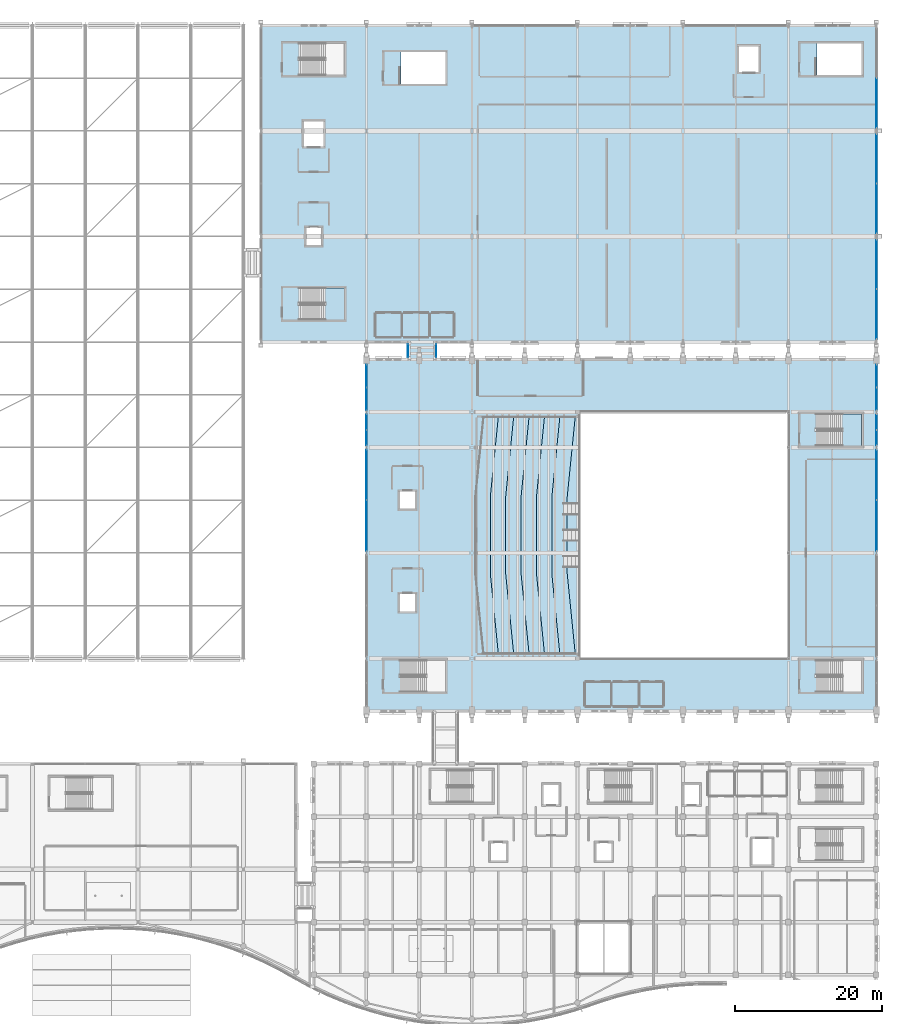
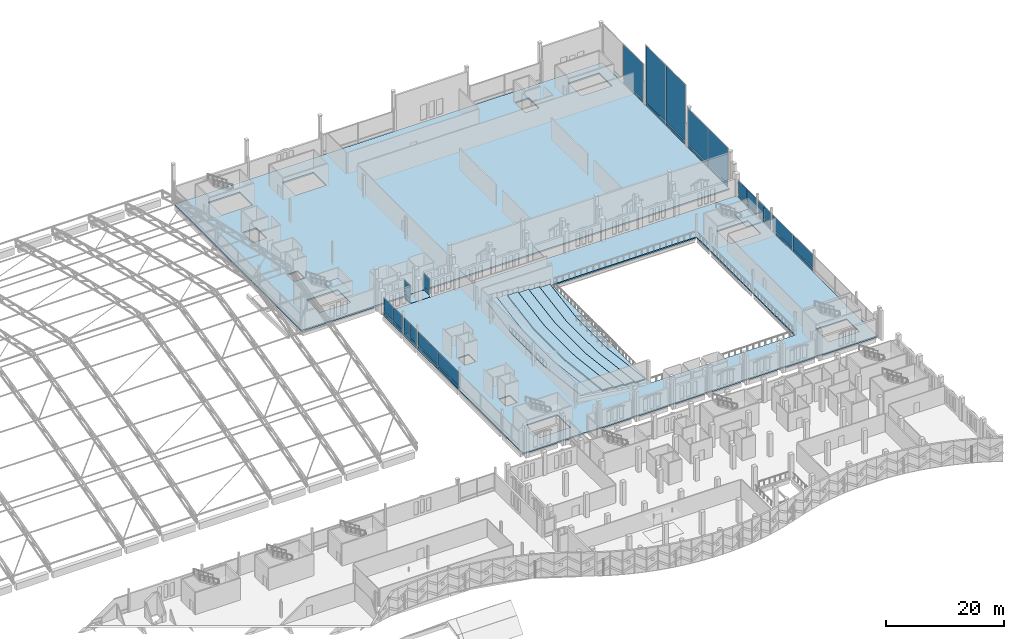
# One storey, part 118 of 193: 38 plates, 11 slabs, 13 elements without a shape of their own.
"""IFC4 building model written with IfcOpenShell, lengths in metres."""

from ifc_helpers import new_model, si_unit, direction, frame, origin, origin_2d, place, context, subcontext, project, spatial, polyline, rectangle, outline, extrude, material, layer, layer_set, type_object, element, aggregate, save


model = new_model("IFC4")

# Units and contexts
model_context = context("Model", 3, precision=1e-05, world=origin(), true_north=direction((0.0, 1.0)))
body_context = subcontext(model_context, "Body", "Model", "MODEL_VIEW")
ifc_project = project(units=[si_unit("LENGTHUNIT", "METRE"), si_unit("AREAUNIT", "SQUARE_METRE"), si_unit("VOLUMEUNIT", "CUBIC_METRE"), si_unit("PLANEANGLEUNIT", "RADIAN"), si_unit("MASSUNIT", "GRAM", prefix="KILO")], contexts=[model_context])

# Site, building, storey
site_placement = place(None, origin())
site = spatial("IfcSite", under=ifc_project, at=site_placement, CompositionType="ELEMENT")
building_placement = place(site_placement, origin())
building = spatial("IfcBuilding", under=site, at=building_placement, Name="Cendralis Lancet Convention Centre", CompositionType="ELEMENT")
storey_placement = place(building_placement, frame((0.0, 0.0, 10.199951171875)))
storey = spatial("IfcBuildingStorey", under=building, at=storey_placement, Name="L02", CompositionType="ELEMENT", Elevation=10.199951171875)

# Curtain wall, plate
ifc_material_1 = material(Name="Anodised bronze architectural aluminium", Category="aluminium")
curtain_wall_type_1 = type_object("IfcCurtainWallType", Name="ARC-CW-BR01", PredefinedType="USERDEFINED", material=ifc_material_1)
curtain_wall_1_placement = place(storey_placement, origin())
curtain_wall_1 = element("IfcCurtainWall", 1, at=curtain_wall_1_placement, inside=storey, type_object=curtain_wall_type_1, Name="L02 Curtain Wall CW-BR1 #199", ObjectType="CURTAIN WALL", PredefinedType="USERDEFINED")
ifc_material_2 = material(Name="Double-glazed low-E solar-control glass", Category="glass")
ifc_layer_1 = layer(ifc_material_2, 0.035888671875, Name="Double-glazed low-E solar-control glass")
ifc_layer_set_1 = layer_set([ifc_layer_1], Name="Double-glazed low-E solar-control glass")
plate_type_1 = type_object("IfcPlateType", Name="ARC-PL-GL01", PredefinedType="CURTAIN_PANEL", material=ifc_layer_set_1)
plate_1_placement = place(storey_placement, frame((144.8798828125, 92.39990234375, 0.81982421875), z_axis=(0.0, 0.0, 1.0), x_axis=(0.0, 1.0, 0.0)))
plate_1 = element("IfcPlate", 2, at=plate_1_placement, type_object=plate_type_1, Name="Vision Glass Panel CW2-CW-BR1-L02-199-PG0", PredefinedType="CURTAIN_PANEL", context=body_context, shape_type="SweptSolid", body=[
    extrude(rectangle(XDim=1.760009765625, YDim=0.035888671875, at=origin_2d()), origin(), (0.0, 0.0, 1.0), 2.760009765625),
])

curtain_wall_2_placement = place(storey_placement, origin())
curtain_wall_2 = element("IfcCurtainWall", 3, at=curtain_wall_2_placement, inside=storey, type_object=curtain_wall_type_1, Name="L02 Curtain Wall CW-BR1 #200", ObjectType="CURTAIN WALL", PredefinedType="USERDEFINED")
plate_2_placement = place(storey_placement, frame((148.719970703125, 92.39990234375, 0.81982421875), z_axis=(0.0, 0.0, 1.0), x_axis=(0.0, 1.0, 0.0)))
plate_2 = element("IfcPlate", 4, at=plate_2_placement, type_object=plate_type_1, Name="Vision Glass Panel CW2-CW-BR1-L02-200-PG0", PredefinedType="CURTAIN_PANEL", context=body_context, shape_type="SweptSolid", body=[
    extrude(rectangle(XDim=1.760009765625, YDim=0.035888671875, at=origin_2d()), origin(), (0.0, 0.0, 1.0), 2.760009765625),
])

# Curtain wall, plates
curtain_wall_type_2 = type_object("IfcCurtainWallType", Name="ARC-CW-PL02", PredefinedType="USERDEFINED", material=ifc_material_1)
curtain_wall_3_placement = place(storey_placement, origin())
curtain_wall_3 = element("IfcCurtainWall", 5, at=curtain_wall_3_placement, inside=storey, type_object=curtain_wall_type_2, Name="L02 Curtain Wall CW-PL2 #133", ObjectType="CURTAIN WALL", PredefinedType="USERDEFINED")
ifc_layer_2 = layer(ifc_material_2, 0.035888671875, Name="Double-glazed low-E solar-control glass")
ifc_layer_set_2 = layer_set([ifc_layer_2], Name="Double-glazed low-E solar-control glass")
plate_type_2 = type_object("IfcPlateType", Name="ARC-PL-GL02", PredefinedType="CURTAIN_PANEL", material=ifc_layer_set_2)
plate_3_placement = place(storey_placement, frame((208.800048828125, 75.487548828125, 0.830078125), z_axis=(0.0, 0.0, 1.0), x_axis=(0.0, -1.0, 0.0)))
plate_3 = element("IfcPlate", 6, at=plate_3_placement, type_object=plate_type_2, Name="Vision Glass Panel CW2-CW-PL2-L02-133-PG0", PredefinedType="CURTAIN_PANEL", context=body_context, shape_type="SweptSolid", body=[
    extrude(rectangle(XDim=6.81494140625, YDim=0.035888671875, at=origin_2d()), origin(), (0.0, 0.0, 1.0), 2.764892578125),
])
plate_4_placement = place(storey_placement, frame((208.800048828125, 68.512451171875, 0.830078125), z_axis=(0.0, 0.0, 1.0), x_axis=(0.0, -1.0, 0.0)))
plate_4 = element("IfcPlate", 7, at=plate_4_placement, type_object=plate_type_2, Name="Vision Glass Panel CW2-CW-PL2-L02-133-PG1", PredefinedType="CURTAIN_PANEL", context=body_context, shape_type="SweptSolid", body=[
    extrude(rectangle(XDim=6.81494140625, YDim=0.035888671875, at=origin_2d()), origin(), (0.0, 0.0, 1.0), 2.764892578125),
])

curtain_wall_4_placement = place(storey_placement, origin())
curtain_wall_4 = element("IfcCurtainWall", 8, at=curtain_wall_4_placement, inside=storey, type_object=curtain_wall_type_2, Name="L02 Curtain Wall CW-PL2 #134", ObjectType="CURTAIN WALL", PredefinedType="USERDEFINED")
plate_5_placement = place(storey_placement, frame((208.800048828125, 82.6875, 0.830078125), z_axis=(0.0, 0.0, 1.0), x_axis=(0.0, -1.0, 0.0)))
plate_5 = element("IfcPlate", 9, at=plate_5_placement, type_object=plate_type_2, Name="Vision Glass Panel CW2-CW-PL2-L02-134-PG0", PredefinedType="CURTAIN_PANEL", context=body_context, shape_type="SweptSolid", body=[
    extrude(rectangle(XDim=2.014892578125, YDim=0.035888671875, at=origin_2d()), origin(), (0.0, 0.0, 1.0), 2.764892578125),
])
plate_6_placement = place(storey_placement, frame((208.800048828125, 80.512451171875, 0.830078125), z_axis=(0.0, 0.0, 1.0), x_axis=(0.0, -1.0, 0.0)))
plate_6 = element("IfcPlate", 10, at=plate_6_placement, type_object=plate_type_2, Name="Vision Glass Panel CW2-CW-PL2-L02-134-PG1", PredefinedType="CURTAIN_PANEL", context=body_context, shape_type="SweptSolid", body=[
    extrude(rectangle(XDim=2.014892578125, YDim=0.035888671875, at=origin_2d()), origin(), (0.0, 0.0, 1.0), 2.764892578125),
])

curtain_wall_5_placement = place(storey_placement, origin())
curtain_wall_5 = element("IfcCurtainWall", 11, at=curtain_wall_5_placement, inside=storey, type_object=curtain_wall_type_2, Name="L02 Curtain Wall CW-PL2 #135", ObjectType="CURTAIN WALL", PredefinedType="USERDEFINED")
plate_7_placement = place(storey_placement, frame((208.800048828125, 88.96875, 0.830078125), z_axis=(0.0, 0.0, 1.0), x_axis=(0.0, -1.0, 0.0)))
plate_7 = element("IfcPlate", 12, at=plate_7_placement, type_object=plate_type_2, Name="Vision Glass Panel CW2-CW-PL2-L02-135-PG0", PredefinedType="CURTAIN_PANEL", context=body_context, shape_type="SweptSolid", body=[
    extrude(rectangle(XDim=3.00244140625, YDim=0.035888671875, at=origin_2d()), origin(), (0.0, 0.0, 1.0), 2.764892578125),
])
plate_8_placement = place(storey_placement, frame((208.800048828125, 85.80615234375, 0.830078125), z_axis=(0.0, 0.0, 1.0), x_axis=(0.0, -1.0, 0.0)))
plate_8 = element("IfcPlate", 13, at=plate_8_placement, type_object=plate_type_2, Name="Vision Glass Panel CW2-CW-PL2-L02-135-PG1", PredefinedType="CURTAIN_PANEL", context=body_context, shape_type="SweptSolid", body=[
    extrude(rectangle(XDim=3.00244140625, YDim=0.035888671875, at=origin_2d()), origin(), (0.0, 0.0, 1.0), 2.764892578125),
])

curtain_wall_type_3 = type_object("IfcCurtainWallType", Name="ARC-CW-BL02", PredefinedType="USERDEFINED", material=ifc_material_1)
curtain_wall_6_placement = place(storey_placement, origin())
curtain_wall_6 = element("IfcCurtainWall", 14, at=curtain_wall_6_placement, inside=storey, type_object=curtain_wall_type_3, Name="L02 Curtain Wall CW-BL2 #160", ObjectType="CURTAIN WALL", PredefinedType="USERDEFINED")
plate_9_placement = place(storey_placement, frame((208.800048828125, 104.21240234375, 0.81982421875), z_axis=(0.0, 0.0, 1.0), x_axis=(0.0, -1.0, 0.0)))
plate_9 = element("IfcPlate", 15, at=plate_9_placement, type_object=plate_type_2, Name="Vision Glass Panel CW2-CW-BL2-L02-160-PG0", PredefinedType="CURTAIN_PANEL", context=body_context, shape_type="SweptSolid", body=[
    extrude(rectangle(XDim=6.6650390625, YDim=0.035888671875, at=origin_2d()), origin(), (0.0, 0.0, 1.0), 7.360107421875),
])
plate_10_placement = place(storey_placement, frame((208.800048828125, 97.387451171875, 0.81982421875), z_axis=(0.0, 0.0, 1.0), x_axis=(0.0, -1.0, 0.0)))
plate_10 = element("IfcPlate", 16, at=plate_10_placement, type_object=plate_type_2, Name="Vision Glass Panel CW2-CW-BL2-L02-160-PG1", PredefinedType="CURTAIN_PANEL", context=body_context, shape_type="SweptSolid", body=[
    extrude(rectangle(XDim=6.6650390625, YDim=0.035888671875, at=origin_2d()), origin(), (0.0, 0.0, 1.0), 7.360107421875),
])

curtain_wall_7_placement = place(storey_placement, origin())
curtain_wall_7 = element("IfcCurtainWall", 17, at=curtain_wall_7_placement, inside=storey, type_object=curtain_wall_type_3, Name="L02 Curtain Wall CW-BL2 #161", ObjectType="CURTAIN WALL", PredefinedType="USERDEFINED")
plate_11_placement = place(storey_placement, frame((208.800048828125, 118.612548828125, 0.81982421875), z_axis=(0.0, 0.0, 1.0), x_axis=(0.0, -1.0, 0.0)))
plate_11 = element("IfcPlate", 18, at=plate_11_placement, type_object=plate_type_2, Name="Vision Glass Panel CW2-CW-BL2-L02-161-PG0", PredefinedType="CURTAIN_PANEL", context=body_context, shape_type="SweptSolid", body=[
    extrude(rectangle(XDim=6.6650390625, YDim=0.035888671875, at=origin_2d()), origin(), (0.0, 0.0, 1.0), 11.760009765625),
])
plate_12_placement = place(storey_placement, frame((208.800048828125, 111.78759765625, 0.81982421875), z_axis=(0.0, 0.0, 1.0), x_axis=(0.0, -1.0, 0.0)))
plate_12 = element("IfcPlate", 19, at=plate_12_placement, type_object=plate_type_2, Name="Vision Glass Panel CW2-CW-BL2-L02-161-PG1", PredefinedType="CURTAIN_PANEL", context=body_context, shape_type="SweptSolid", body=[
    extrude(rectangle(XDim=6.6650390625, YDim=0.035888671875, at=origin_2d()), origin(), (0.0, 0.0, 1.0), 11.760009765625),
])

# Curtain wall, plate
curtain_wall_8_placement = place(storey_placement, origin())
curtain_wall_8 = element("IfcCurtainWall", 20, at=curtain_wall_8_placement, inside=storey, type_object=curtain_wall_type_3, Name="L02 Curtain Wall CW-BL2 #162", ObjectType="CURTAIN WALL", PredefinedType="USERDEFINED")
plate_13_placement = place(storey_placement, frame((208.800048828125, 126.1875, 0.81982421875), z_axis=(0.0, 0.0, 1.0), x_axis=(0.0, -1.0, 0.0)))
plate_13 = element("IfcPlate", 21, at=plate_13_placement, type_object=plate_type_2, Name="Vision Glass Panel CW2-CW-BL2-L02-162-PG1", PredefinedType="CURTAIN_PANEL", context=body_context, shape_type="SweptSolid", body=[
    extrude(rectangle(XDim=6.6650390625, YDim=0.035888671875, at=origin_2d()), origin(), (0.0, 0.0, 1.0), 7.360107421875),
])

# Curtain wall, plates
curtain_wall_9_placement = place(storey_placement, origin())
curtain_wall_9 = element("IfcCurtainWall", 22, at=curtain_wall_9_placement, inside=storey, type_object=curtain_wall_type_2, Name="L02 Curtain Wall CW-PL2 #128", ObjectType="CURTAIN WALL", PredefinedType="USERDEFINED")
ifc_layer_3 = layer(ifc_material_2, 0.035888671875, Name="Double-glazed low-E solar-control glass")
ifc_layer_set_3 = layer_set([ifc_layer_3], Name="Double-glazed low-E solar-control glass")
plate_type_3 = type_object("IfcPlateType", Name="ARC-PL-GL03", PredefinedType="CURTAIN_PANEL", material=ifc_layer_set_3)
plate_14_placement = place(storey_placement, frame((139.199951171875, 68.512451171875, 0.8203125), z_axis=(0.0, 0.0, 1.0), x_axis=(0.0, 1.0, 0.0)))
plate_14 = element("IfcPlate", 23, at=plate_14_placement, type_object=plate_type_3, Name="Vision Glass Panel CW2-CW-PL2-L02-128-PG0", PredefinedType="CURTAIN_PANEL", context=body_context, shape_type="SweptSolid", body=[
    extrude(rectangle(XDim=6.81494140625, YDim=0.035888671875, at=origin_2d()), origin(), (0.0, 0.0, 1.0), 2.784912109375),
])
plate_15_placement = place(storey_placement, frame((139.199951171875, 75.487548828125, 0.8203125), z_axis=(0.0, 0.0, 1.0), x_axis=(0.0, 1.0, 0.0)))
plate_15 = element("IfcPlate", 24, at=plate_15_placement, type_object=plate_type_3, Name="Vision Glass Panel CW2-CW-PL2-L02-128-PG1", PredefinedType="CURTAIN_PANEL", context=body_context, shape_type="SweptSolid", body=[
    extrude(rectangle(XDim=6.81494140625, YDim=0.035888671875, at=origin_2d()), origin(), (0.0, 0.0, 1.0), 2.784912109375),
])

curtain_wall_10_placement = place(storey_placement, origin())
curtain_wall_10 = element("IfcCurtainWall", 25, at=curtain_wall_10_placement, inside=storey, type_object=curtain_wall_type_2, Name="L02 Curtain Wall CW-PL2 #129", ObjectType="CURTAIN WALL", PredefinedType="USERDEFINED")
plate_16_placement = place(storey_placement, frame((139.199951171875, 80.512451171875, 0.8203125), z_axis=(0.0, 0.0, 1.0), x_axis=(0.0, 1.0, 0.0)))
plate_16 = element("IfcPlate", 26, at=plate_16_placement, type_object=plate_type_3, Name="Vision Glass Panel CW2-CW-PL2-L02-129-PG0", PredefinedType="CURTAIN_PANEL", context=body_context, shape_type="SweptSolid", body=[
    extrude(rectangle(XDim=2.014892578125, YDim=0.035888671875, at=origin_2d()), origin(), (0.0, 0.0, 1.0), 2.784912109375),
])
plate_17_placement = place(storey_placement, frame((139.199951171875, 82.6875, 0.8203125), z_axis=(0.0, 0.0, 1.0), x_axis=(0.0, 1.0, 0.0)))
plate_17 = element("IfcPlate", 27, at=plate_17_placement, type_object=plate_type_3, Name="Vision Glass Panel CW2-CW-PL2-L02-129-PG1", PredefinedType="CURTAIN_PANEL", context=body_context, shape_type="SweptSolid", body=[
    extrude(rectangle(XDim=2.014892578125, YDim=0.035888671875, at=origin_2d()), origin(), (0.0, 0.0, 1.0), 2.784912109375),
])

curtain_wall_11_placement = place(storey_placement, origin())
curtain_wall_11 = element("IfcCurtainWall", 28, at=curtain_wall_11_placement, inside=storey, type_object=curtain_wall_type_2, Name="L02 Curtain Wall CW-PL2 #130", ObjectType="CURTAIN WALL", PredefinedType="USERDEFINED")
plate_18_placement = place(storey_placement, frame((139.199951171875, 85.80615234375, 0.8203125), z_axis=(0.0, 0.0, 1.0), x_axis=(0.0, 1.0, 0.0)))
plate_18 = element("IfcPlate", 29, at=plate_18_placement, type_object=plate_type_3, Name="Vision Glass Panel CW2-CW-PL2-L02-130-PG0", PredefinedType="CURTAIN_PANEL", context=body_context, shape_type="SweptSolid", body=[
    extrude(rectangle(XDim=3.00244140625, YDim=0.035888671875, at=origin_2d()), origin(), (0.0, 0.0, 1.0), 2.784912109375),
])
plate_19_placement = place(storey_placement, frame((139.199951171875, 88.96875, 0.8203125), z_axis=(0.0, 0.0, 1.0), x_axis=(0.0, 1.0, 0.0)))
plate_19 = element("IfcPlate", 30, at=plate_19_placement, type_object=plate_type_3, Name="Vision Glass Panel CW2-CW-PL2-L02-130-PG1", PredefinedType="CURTAIN_PANEL", context=body_context, shape_type="SweptSolid", body=[
    extrude(rectangle(XDim=3.00244140625, YDim=0.035888671875, at=origin_2d()), origin(), (0.0, 0.0, 1.0), 2.784912109375),
])

# Plate
ifc_material_3 = material(Name="Insulated ceramic-fritted spandrel glass", Category="glass")
ifc_layer_4 = layer(ifc_material_3, 0.044921875, Name="Insulated ceramic-fritted spandrel glass")
ifc_layer_set_4 = layer_set([ifc_layer_4], Name="Insulated ceramic-fritted spandrel glass")
plate_type_4 = type_object("IfcPlateType", Name="ARC-PL-SP01", PredefinedType="CURTAIN_PANEL", material=ifc_layer_set_4)
plate_20_placement = place(storey_placement, frame((139.199951171875, 68.512451171875, 0.06982421875), z_axis=(0.0, 0.0, 1.0), x_axis=(0.0, 1.0, 0.0)))
plate_20 = element("IfcPlate", 31, at=plate_20_placement, type_object=plate_type_4, Name="Spandrel Panel CW2-CW-PL2-L02-128-PS0", PredefinedType="CURTAIN_PANEL", context=body_context, shape_type="SweptSolid", body=[
    extrude(rectangle(XDim=6.81494140625, YDim=0.044921875, at=origin_2d()), origin(), (0.0, 0.0, 1.0), 0.610107421875),
])

plate_21_placement = place(storey_placement, frame((139.199951171875, 75.487548828125, 0.06982421875), z_axis=(0.0, 0.0, 1.0), x_axis=(0.0, 1.0, 0.0)))
plate_21 = element("IfcPlate", 32, at=plate_21_placement, type_object=plate_type_4, Name="Spandrel Panel CW2-CW-PL2-L02-128-PS1", PredefinedType="CURTAIN_PANEL", context=body_context, shape_type="SweptSolid", body=[
    extrude(rectangle(XDim=6.81494140625, YDim=0.044921875, at=origin_2d()), origin(), (0.0, 0.0, 1.0), 0.610107421875),
])

aggregate(curtain_wall_9, [plate_20, plate_14, plate_21, plate_15])

plate_22_placement = place(storey_placement, frame((139.199951171875, 80.512451171875, 0.06982421875), z_axis=(0.0, 0.0, 1.0), x_axis=(0.0, 1.0, 0.0)))
plate_22 = element("IfcPlate", 33, at=plate_22_placement, type_object=plate_type_4, Name="Spandrel Panel CW2-CW-PL2-L02-129-PS0", PredefinedType="CURTAIN_PANEL", context=body_context, shape_type="SweptSolid", body=[
    extrude(rectangle(XDim=2.014892578125, YDim=0.044921875, at=origin_2d()), origin(), (0.0, 0.0, 1.0), 0.610107421875),
])

plate_23_placement = place(storey_placement, frame((139.199951171875, 82.6875, 0.06982421875), z_axis=(0.0, 0.0, 1.0), x_axis=(0.0, 1.0, 0.0)))
plate_23 = element("IfcPlate", 34, at=plate_23_placement, type_object=plate_type_4, Name="Spandrel Panel CW2-CW-PL2-L02-129-PS1", PredefinedType="CURTAIN_PANEL", context=body_context, shape_type="SweptSolid", body=[
    extrude(rectangle(XDim=2.014892578125, YDim=0.044921875, at=origin_2d()), origin(), (0.0, 0.0, 1.0), 0.610107421875),
])

aggregate(curtain_wall_10, [plate_22, plate_16, plate_23, plate_17])

plate_24_placement = place(storey_placement, frame((139.199951171875, 85.80615234375, 0.06982421875), z_axis=(0.0, 0.0, 1.0), x_axis=(0.0, 1.0, 0.0)))
plate_24 = element("IfcPlate", 35, at=plate_24_placement, type_object=plate_type_4, Name="Spandrel Panel CW2-CW-PL2-L02-130-PS0", PredefinedType="CURTAIN_PANEL", context=body_context, shape_type="SweptSolid", body=[
    extrude(rectangle(XDim=3.00244140625, YDim=0.044921875, at=origin_2d()), origin(), (0.0, 0.0, 1.0), 0.610107421875),
])

plate_25_placement = place(storey_placement, frame((139.199951171875, 88.96875, 0.06982421875), z_axis=(0.0, 0.0, 1.0), x_axis=(0.0, 1.0, 0.0)))
plate_25 = element("IfcPlate", 36, at=plate_25_placement, type_object=plate_type_4, Name="Spandrel Panel CW2-CW-PL2-L02-130-PS1", PredefinedType="CURTAIN_PANEL", context=body_context, shape_type="SweptSolid", body=[
    extrude(rectangle(XDim=3.00244140625, YDim=0.044921875, at=origin_2d()), origin(), (0.0, 0.0, 1.0), 0.610107421875),
])

aggregate(curtain_wall_11, [plate_24, plate_18, plate_25, plate_19])

plate_26_placement = place(storey_placement, frame((208.800048828125, 75.487548828125, 0.080078125), z_axis=(0.0, 0.0, 1.0), x_axis=(0.0, -1.0, 0.0)))
plate_26 = element("IfcPlate", 37, at=plate_26_placement, type_object=plate_type_4, Name="Spandrel Panel CW2-CW-PL2-L02-133-PS0", PredefinedType="CURTAIN_PANEL", context=body_context, shape_type="SweptSolid", body=[
    extrude(rectangle(XDim=6.81494140625, YDim=0.044921875, at=origin_2d()), origin(), (0.0, 0.0, 1.0), 0.590087890625),
])

plate_27_placement = place(storey_placement, frame((208.800048828125, 68.512451171875, 0.080078125), z_axis=(0.0, 0.0, 1.0), x_axis=(0.0, -1.0, 0.0)))
plate_27 = element("IfcPlate", 38, at=plate_27_placement, type_object=plate_type_4, Name="Spandrel Panel CW2-CW-PL2-L02-133-PS1", PredefinedType="CURTAIN_PANEL", context=body_context, shape_type="SweptSolid", body=[
    extrude(rectangle(XDim=6.81494140625, YDim=0.044921875, at=origin_2d()), origin(), (0.0, 0.0, 1.0), 0.590087890625),
])

aggregate(curtain_wall_3, [plate_26, plate_3, plate_27, plate_4])

plate_28_placement = place(storey_placement, frame((208.800048828125, 82.6875, 0.080078125), z_axis=(0.0, 0.0, 1.0), x_axis=(0.0, -1.0, 0.0)))
plate_28 = element("IfcPlate", 39, at=plate_28_placement, type_object=plate_type_4, Name="Spandrel Panel CW2-CW-PL2-L02-134-PS0", PredefinedType="CURTAIN_PANEL", context=body_context, shape_type="SweptSolid", body=[
    extrude(rectangle(XDim=2.014892578125, YDim=0.044921875, at=origin_2d()), origin(), (0.0, 0.0, 1.0), 0.590087890625),
])

plate_29_placement = place(storey_placement, frame((208.800048828125, 80.512451171875, 0.080078125), z_axis=(0.0, 0.0, 1.0), x_axis=(0.0, -1.0, 0.0)))
plate_29 = element("IfcPlate", 40, at=plate_29_placement, type_object=plate_type_4, Name="Spandrel Panel CW2-CW-PL2-L02-134-PS1", PredefinedType="CURTAIN_PANEL", context=body_context, shape_type="SweptSolid", body=[
    extrude(rectangle(XDim=2.014892578125, YDim=0.044921875, at=origin_2d()), origin(), (0.0, 0.0, 1.0), 0.590087890625),
])

aggregate(curtain_wall_4, [plate_28, plate_5, plate_29, plate_6])

plate_30_placement = place(storey_placement, frame((208.800048828125, 88.96875, 0.080078125), z_axis=(0.0, 0.0, 1.0), x_axis=(0.0, -1.0, 0.0)))
plate_30 = element("IfcPlate", 41, at=plate_30_placement, type_object=plate_type_4, Name="Spandrel Panel CW2-CW-PL2-L02-135-PS0", PredefinedType="CURTAIN_PANEL", context=body_context, shape_type="SweptSolid", body=[
    extrude(rectangle(XDim=3.00244140625, YDim=0.044921875, at=origin_2d()), origin(), (0.0, 0.0, 1.0), 0.590087890625),
])

plate_31_placement = place(storey_placement, frame((208.800048828125, 85.80615234375, 0.080078125), z_axis=(0.0, 0.0, 1.0), x_axis=(0.0, -1.0, 0.0)))
plate_31 = element("IfcPlate", 42, at=plate_31_placement, type_object=plate_type_4, Name="Spandrel Panel CW2-CW-PL2-L02-135-PS1", PredefinedType="CURTAIN_PANEL", context=body_context, shape_type="SweptSolid", body=[
    extrude(rectangle(XDim=3.00244140625, YDim=0.044921875, at=origin_2d()), origin(), (0.0, 0.0, 1.0), 0.590087890625),
])

aggregate(curtain_wall_5, [plate_30, plate_7, plate_31, plate_8])

plate_32_placement = place(storey_placement, frame((208.800048828125, 104.21240234375, 0.06982421875), z_axis=(0.0, 0.0, 1.0), x_axis=(0.0, -1.0, 0.0)))
plate_32 = element("IfcPlate", 43, at=plate_32_placement, type_object=plate_type_4, Name="Spandrel Panel CW2-CW-BL2-L02-160-PS0", PredefinedType="CURTAIN_PANEL", context=body_context, shape_type="SweptSolid", body=[
    extrude(rectangle(XDim=6.6650390625, YDim=0.044921875, at=origin_2d()), origin(), (0.0, 0.0, 1.0), 0.610107421875),
])

plate_33_placement = place(storey_placement, frame((208.800048828125, 97.387451171875, 0.06982421875), z_axis=(0.0, 0.0, 1.0), x_axis=(0.0, -1.0, 0.0)))
plate_33 = element("IfcPlate", 44, at=plate_33_placement, type_object=plate_type_4, Name="Spandrel Panel CW2-CW-BL2-L02-160-PS1", PredefinedType="CURTAIN_PANEL", context=body_context, shape_type="SweptSolid", body=[
    extrude(rectangle(XDim=6.6650390625, YDim=0.044921875, at=origin_2d()), origin(), (0.0, 0.0, 1.0), 0.610107421875),
])

aggregate(curtain_wall_6, [plate_32, plate_9, plate_33, plate_10])

plate_34_placement = place(storey_placement, frame((208.800048828125, 118.612548828125, 0.06982421875), z_axis=(0.0, 0.0, 1.0), x_axis=(0.0, -1.0, 0.0)))
plate_34 = element("IfcPlate", 45, at=plate_34_placement, type_object=plate_type_4, Name="Spandrel Panel CW2-CW-BL2-L02-161-PS0", PredefinedType="CURTAIN_PANEL", context=body_context, shape_type="SweptSolid", body=[
    extrude(rectangle(XDim=6.6650390625, YDim=0.044921875, at=origin_2d()), origin(), (0.0, 0.0, 1.0), 0.610107421875),
])

plate_35_placement = place(storey_placement, frame((208.800048828125, 111.78759765625, 0.06982421875), z_axis=(0.0, 0.0, 1.0), x_axis=(0.0, -1.0, 0.0)))
plate_35 = element("IfcPlate", 46, at=plate_35_placement, type_object=plate_type_4, Name="Spandrel Panel CW2-CW-BL2-L02-161-PS1", PredefinedType="CURTAIN_PANEL", context=body_context, shape_type="SweptSolid", body=[
    extrude(rectangle(XDim=6.6650390625, YDim=0.044921875, at=origin_2d()), origin(), (0.0, 0.0, 1.0), 0.610107421875),
])

aggregate(curtain_wall_7, [plate_34, plate_11, plate_35, plate_12])

plate_36_placement = place(storey_placement, frame((208.800048828125, 126.1875, 0.06982421875), z_axis=(0.0, 0.0, 1.0), x_axis=(0.0, -1.0, 0.0)))
plate_36 = element("IfcPlate", 47, at=plate_36_placement, type_object=plate_type_4, Name="Spandrel Panel CW2-CW-BL2-L02-162-PS1", PredefinedType="CURTAIN_PANEL", context=body_context, shape_type="SweptSolid", body=[
    extrude(rectangle(XDim=6.6650390625, YDim=0.044921875, at=origin_2d()), origin(), (0.0, 0.0, 1.0), 0.610107421875),
])

aggregate(curtain_wall_8, [plate_36, plate_13])

plate_37_placement = place(storey_placement, frame((144.8798828125, 92.39990234375, 0.06982421875), z_axis=(0.0, 0.0, 1.0), x_axis=(0.0, 1.0, 0.0)))
plate_37 = element("IfcPlate", 48, at=plate_37_placement, type_object=plate_type_4, Name="Spandrel Panel CW2-CW-BR1-L02-199-PS0", PredefinedType="CURTAIN_PANEL", context=body_context, shape_type="SweptSolid", body=[
    extrude(rectangle(XDim=1.760009765625, YDim=0.044921875, at=origin_2d()), origin(), (0.0, 0.0, 1.0), 0.610107421875),
])

aggregate(curtain_wall_1, [plate_37, plate_1])

plate_38_placement = place(storey_placement, frame((148.719970703125, 92.39990234375, 0.06982421875), z_axis=(0.0, 0.0, 1.0), x_axis=(0.0, 1.0, 0.0)))
plate_38 = element("IfcPlate", 49, at=plate_38_placement, type_object=plate_type_4, Name="Spandrel Panel CW2-CW-BR1-L02-200-PS0", PredefinedType="CURTAIN_PANEL", context=body_context, shape_type="SweptSolid", body=[
    extrude(rectangle(XDim=1.760009765625, YDim=0.044921875, at=origin_2d()), origin(), (0.0, 0.0, 1.0), 0.610107421875),
])

aggregate(curtain_wall_2, [plate_38, plate_2])

# Slabs
ifc_material_4 = material(Name="Concrete G35 (C35/45)", Category="concrete")
ifc_layer_5 = layer(ifc_material_4, 0.219970703125, Name="Concrete G35 (C35/45)")
ifc_layer_set_5 = layer_set([ifc_layer_5], Name="Concrete G35 (C35/45)")
slab_type_1 = type_object("IfcSlabType", Name="STR-SL-FS22", PredefinedType="FLOOR", material=ifc_layer_set_5)
slab_1_placement = place(storey_placement, frame((0.0, 0.0, -0.219970703125)))
element("IfcSlab", 50, at=slab_1_placement, inside=storey, type_object=slab_type_1, Name="Plenary-Ballroom Link Bridge Link Slab L02", PredefinedType="FLOOR", context=body_context, shape_type="SweptSolid", body=[
    extrude(outline(polyline([(145.14990234375, 91.199951171875), (148.449951171875, 91.199951171875), (148.800048828125, 91.550048828125), (148.800048828125, 93.25), (148.449951171875, 93.60009765625), (145.14990234375, 93.60009765625), (144.800048828125, 93.25), (144.800048828125, 91.550048828125), (145.14990234375, 91.199951171875)])), origin(), (0.0, 0.0, 1.0), 0.219970703125),
])
ifc_layer_6 = layer(ifc_material_4, 0.260009765625, Name="Concrete G35 (C35/45)")
ifc_layer_set_6 = layer_set([ifc_layer_6], Name="Concrete G35 (C35/45)")
slab_type_2 = type_object("IfcSlabType", Name="STR-SL-FS26", PredefinedType="FLOOR", material=ifc_layer_set_6)
slab_2_placement = place(storey_placement, frame((0.0, 0.0, -0.260009765625)))
element("IfcSlab", 51, at=slab_2_placement, inside=storey, type_object=slab_type_2, Name="L02 V2 Floor Slab FS-260", PredefinedType="FLOOR", context=body_context, shape_type="SweptSolid", body=[
    extrude(outline(polyline([(139.199951171875, 43.199951171875), (208.800048828125, 43.199951171875), (208.800048828125, 91.199951171875), (139.199951171875, 91.199951171875), (139.199951171875, 43.199951171875)]), holes=[polyline([(168.39990234375, 50.39990234375), (196.800048828125, 50.39990234375), (196.800048828125, 84.0), (168.39990234375, 84.0), (168.39990234375, 50.39990234375)]), polyline([(143.909912109375, 45.800048828125), (150.0, 45.800048828125), (150.0, 50.179931640625), (143.909912109375, 50.179931640625), (143.909912109375, 45.800048828125)]), polyline([(200.7099609375, 45.800048828125), (206.800048828125, 45.800048828125), (206.800048828125, 50.179931640625), (200.7099609375, 50.179931640625), (200.7099609375, 45.800048828125)]), polyline([(200.7099609375, 79.39990234375), (206.800048828125, 79.39990234375), (206.800048828125, 83.780029296875), (200.7099609375, 83.780029296875), (200.7099609375, 79.39990234375)]), polyline([(143.75, 56.800048828125), (145.85009765625, 56.800048828125), (145.85009765625, 59.199951171875), (143.75, 59.199951171875), (143.75, 56.800048828125)]), polyline([(143.75, 70.800048828125), (145.85009765625, 70.800048828125), (145.85009765625, 73.199951171875), (143.75, 73.199951171875), (143.75, 70.800048828125)])]), origin(), (0.0, 0.0, 1.0), 0.260009765625),
])
ifc_layer_7 = layer(ifc_material_4, 0.300048828125, Name="Concrete G35 (C35/45)")
ifc_layer_set_7 = layer_set([ifc_layer_7], Name="Concrete G35 (C35/45)")
slab_type_3 = type_object("IfcSlabType", Name="STR-SL-FS30", PredefinedType="FLOOR", material=ifc_layer_set_7)
slab_3_placement = place(storey_placement, frame((0.0, 0.0, -0.300048828125)))
element("IfcSlab", 52, at=slab_3_placement, inside=storey, type_object=slab_type_3, Name="L02 V3 Floor Slab FS-300", PredefinedType="FLOOR", context=body_context, shape_type="SweptSolid", body=[
    extrude(outline(polyline([(124.800048828125, 93.60009765625), (208.800048828125, 93.60009765625), (208.800048828125, 136.800048828125), (124.800048828125, 136.800048828125), (124.800048828125, 93.60009765625)]), holes=[polyline([(130.110107421875, 130.0), (136.199951171875, 130.0), (136.199951171875, 134.3798828125), (130.110107421875, 134.3798828125), (130.110107421875, 130.0)]), polyline([(200.7099609375, 130.0), (206.800048828125, 130.0), (206.800048828125, 134.3798828125), (200.7099609375, 134.3798828125), (200.7099609375, 130.0)]), polyline([(130.110107421875, 96.60009765625), (136.199951171875, 96.60009765625), (136.199951171875, 100.97998046875), (130.110107421875, 100.97998046875), (130.110107421875, 96.60009765625)]), polyline([(143.909912109375, 128.800048828125), (150.0, 128.800048828125), (150.0, 133.179931640625), (143.909912109375, 133.179931640625), (143.909912109375, 128.800048828125)]), polyline([(130.949951171875, 106.800048828125), (133.050048828125, 106.800048828125), (133.050048828125, 109.199951171875), (130.949951171875, 109.199951171875), (130.949951171875, 106.800048828125)]), polyline([(130.64990234375, 120.25), (133.35009765625, 120.25), (133.35009765625, 123.75), (130.64990234375, 123.75), (130.64990234375, 120.25)]), polyline([(190.050048828125, 130.449951171875), (192.75, 130.449951171875), (192.75, 133.949951171875), (190.050048828125, 133.949951171875), (190.050048828125, 130.449951171875)])]), origin(), (0.0, 0.0, 1.0), 0.300048828125),
])

# Stair, slab
stair_type = type_object("IfcStairType", Name="ARC-ST-CORE", PredefinedType="HALF_TURN_STAIR", material=ifc_material_4)
stair_1_placement = place(storey_placement, origin())
stair_1 = element("IfcStair", 53, at=stair_1_placement, inside=storey, type_object=stair_type, Name="L02 Protected Exit Stair ST-07", PredefinedType="HALF_TURN_STAIR")
ifc_layer_8 = layer(ifc_material_4, 0.199951171875, Name="Concrete G35 (C35/45)")
ifc_layer_set_8 = layer_set([ifc_layer_8], Name="Concrete G35 (C35/45)")
slab_type_4 = type_object("IfcSlabType", Name="STR-SL-LAND", PredefinedType="LANDING", material=ifc_layer_set_8)
slab_4_placement = place(storey_placement, frame((0.0, 0.0, 2.199951171875)))
slab_4 = element("IfcSlab", 54, at=slab_4_placement, type_object=slab_type_4, Name="ST-07 landing 1", PredefinedType="LANDING", context=body_context, shape_type="SweptSolid", body=[
    extrude(outline(polyline([(133.429931640625, 96.60009765625), (136.199951171875, 96.60009765625), (136.199951171875, 100.97998046875), (133.429931640625, 100.97998046875), (133.429931640625, 96.60009765625)])), origin(), (0.0, 0.0, 1.0), 0.2001953125),
])
aggregate(stair_1, [slab_4])

stair_2_placement = place(storey_placement, origin())
stair_2 = element("IfcStair", 55, at=stair_2_placement, inside=storey, type_object=stair_type, Name="L02 Protected Exit Stair ST-10", PredefinedType="HALF_TURN_STAIR")
slab_5_placement = place(storey_placement, frame((0.0, 0.0, 2.199951171875)))
slab_5 = element("IfcSlab", 56, at=slab_5_placement, type_object=slab_type_4, Name="ST-10 landing 1", PredefinedType="LANDING", context=body_context, shape_type="SweptSolid", body=[
    extrude(outline(polyline([(204.030029296875, 79.39990234375), (206.800048828125, 79.39990234375), (206.800048828125, 83.780029296875), (204.030029296875, 83.780029296875), (204.030029296875, 79.39990234375)])), origin(), (0.0, 0.0, 1.0), 0.2001953125),
])
aggregate(stair_2, [slab_5])

# Slabs
ifc_layer_9 = layer(ifc_material_4, 0.199951171875, Name="Concrete G35 (C35/45)")
ifc_layer_set_9 = layer_set([ifc_layer_9], Name="Concrete G35 (C35/45)")
slab_type_5 = type_object("IfcSlabType", Name="STR-SL-ST20", PredefinedType="USERDEFINED", material=ifc_layer_set_9)
slab_6_placement = place(storey_placement, frame((0.0, 0.0, 0.550048828125)))
element("IfcSlab", 57, at=slab_6_placement, inside=storey, type_object=slab_type_5, Name="Stand Upper Tier Row 01", ObjectType="SEATING TIER", PredefinedType="USERDEFINED", context=body_context, shape_type="SweptSolid", body=[
    extrude(outline(polyline([(165.60009765625, 51.0), (167.699951171875, 51.0), (166.60009765625, 62.0), (166.60009765625, 72.39990234375), (167.699951171875, 83.39990234375), (165.60009765625, 83.39990234375), (164.5, 72.39990234375), (164.5, 62.0), (165.60009765625, 51.0)])), origin(), (0.0, 0.0, 1.0), 0.199951171875),
])
slab_7_placement = place(storey_placement, frame((0.0, 0.0, 0.75)))
element("IfcSlab", 58, at=slab_7_placement, inside=storey, type_object=slab_type_5, Name="Stand Upper Tier Row 02", ObjectType="SEATING TIER", PredefinedType="USERDEFINED", context=body_context, shape_type="SweptSolid", body=[
    extrude(outline(polyline([(163.5, 51.0), (165.60009765625, 51.0), (164.5, 62.0), (164.5, 72.39990234375), (165.60009765625, 83.39990234375), (163.5, 83.39990234375), (162.39990234375, 72.39990234375), (162.39990234375, 62.0), (163.5, 51.0)])), origin(), (0.0, 0.0, 1.0), 0.199951171875),
])
slab_8_placement = place(storey_placement, frame((0.0, 0.0, 0.949951171875)))
element("IfcSlab", 59, at=slab_8_placement, inside=storey, type_object=slab_type_5, Name="Stand Upper Tier Row 03", ObjectType="SEATING TIER", PredefinedType="USERDEFINED", context=body_context, shape_type="SweptSolid", body=[
    extrude(outline(polyline([(161.39990234375, 51.0), (163.5, 51.0), (162.39990234375, 62.0), (162.39990234375, 72.39990234375), (163.5, 83.39990234375), (161.39990234375, 83.39990234375), (160.300048828125, 72.39990234375), (160.300048828125, 62.0), (161.39990234375, 51.0)])), origin(), (0.0, 0.0, 1.0), 0.2001953125),
])
slab_9_placement = place(storey_placement, frame((0.0, 0.0, 1.150146484375)))
element("IfcSlab", 60, at=slab_9_placement, inside=storey, type_object=slab_type_5, Name="Stand Upper Tier Row 04", ObjectType="SEATING TIER", PredefinedType="USERDEFINED", context=body_context, shape_type="SweptSolid", body=[
    extrude(outline(polyline([(159.300048828125, 51.0), (161.39990234375, 51.0), (160.300048828125, 62.0), (160.300048828125, 72.39990234375), (161.39990234375, 83.39990234375), (159.300048828125, 83.39990234375), (158.199951171875, 72.39990234375), (158.199951171875, 62.0), (159.300048828125, 51.0)])), origin(), (0.0, 0.0, 1.0), 0.199951171875),
])
slab_10_placement = place(storey_placement, frame((0.0, 0.0, 1.35009765625)))
element("IfcSlab", 61, at=slab_10_placement, inside=storey, type_object=slab_type_5, Name="Stand Upper Tier Row 05", ObjectType="SEATING TIER", PredefinedType="USERDEFINED", context=body_context, shape_type="SweptSolid", body=[
    extrude(outline(polyline([(157.199951171875, 51.0), (159.300048828125, 51.0), (158.199951171875, 62.0), (158.199951171875, 72.39990234375), (159.300048828125, 83.39990234375), (157.199951171875, 83.39990234375), (156.10009765625, 72.39990234375), (156.10009765625, 62.0), (157.199951171875, 51.0)])), origin(), (0.0, 0.0, 1.0), 0.199951171875),
])
slab_11_placement = place(storey_placement, frame((0.0, 0.0, 1.550048828125)))
element("IfcSlab", 62, at=slab_11_placement, inside=storey, type_object=slab_type_5, Name="Stand Upper Tier Row 06", ObjectType="SEATING TIER", PredefinedType="USERDEFINED", context=body_context, shape_type="SweptSolid", body=[
    extrude(outline(polyline([(155.10009765625, 51.0), (157.199951171875, 51.0), (156.10009765625, 62.0), (156.10009765625, 72.39990234375), (157.199951171875, 83.39990234375), (155.10009765625, 83.39990234375), (154.0, 72.39990234375), (154.0, 62.0), (155.10009765625, 51.0)])), origin(), (0.0, 0.0, 1.0), 0.199951171875),
])

save(model, "model.ifc")
